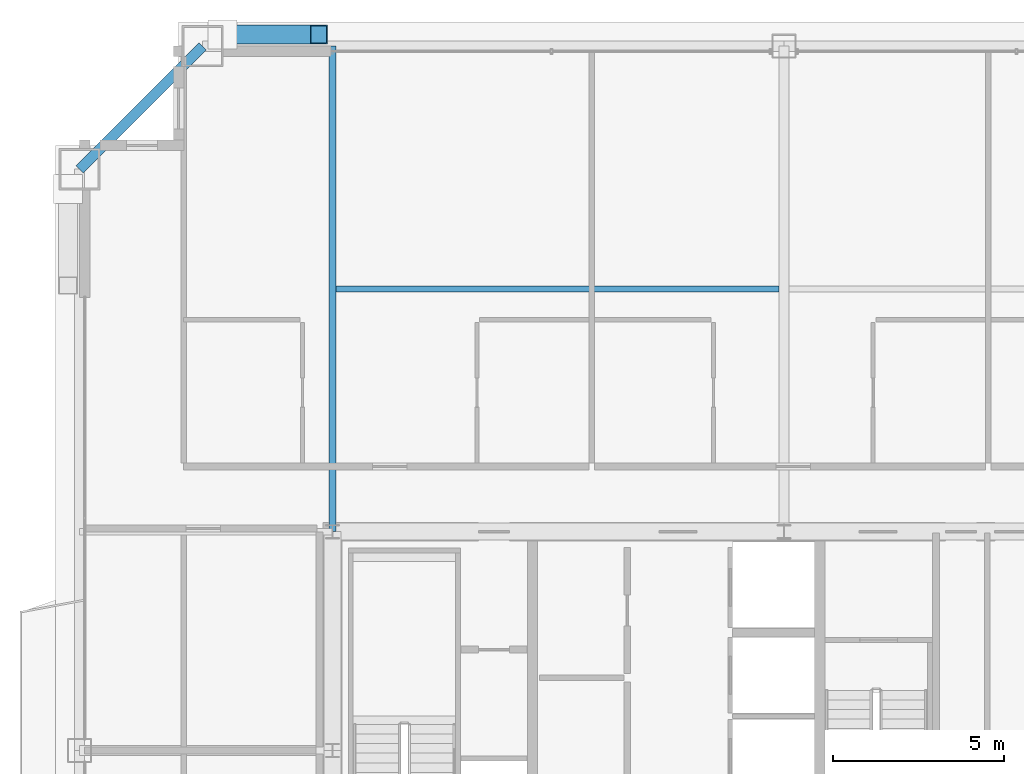
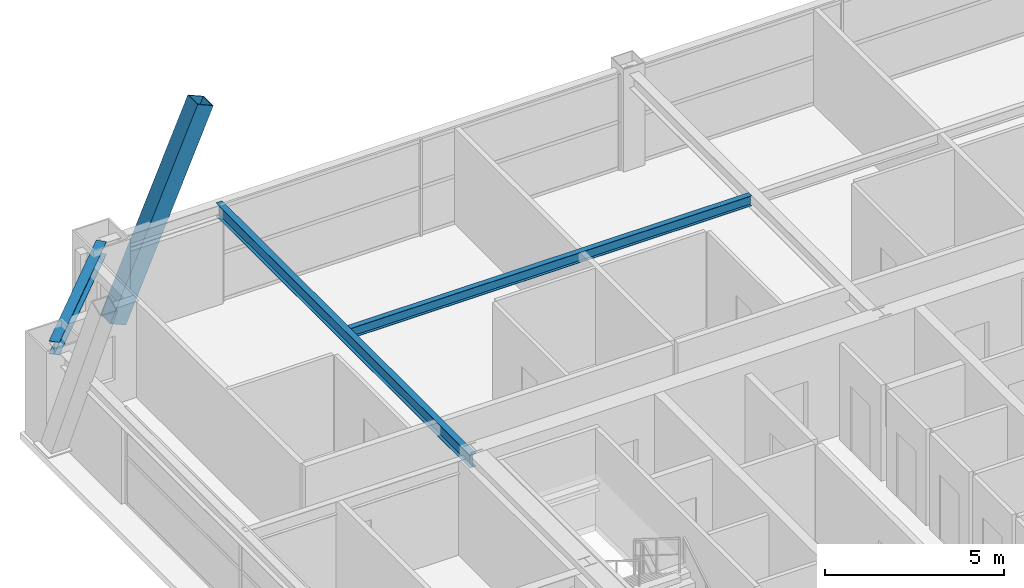
# One storey, part 20 of 33: 3 beams, 1 member.
"""IFC4 building model written with IfcOpenShell, lengths in metres."""

from ifc_helpers import new_model, si_unit, direction, frame, origin, origin_2d, place, context, subcontext, project, spatial, hollow_rectangle, i_section, extrude, source, transform, mapped, material, material_profile, profile_set, type_object, element, save


model = new_model("IFC4")

# Units and contexts
model_context = context("Model", 3, precision=1e-05, world=origin(), true_north=direction((0.0, 1.0)))
body_context = subcontext(model_context, "Body", "Model", "MODEL_VIEW")
ifc_project = project(units=[si_unit("LENGTHUNIT", "METRE"), si_unit("AREAUNIT", "SQUARE_METRE"), si_unit("VOLUMEUNIT", "CUBIC_METRE"), si_unit("PLANEANGLEUNIT", "RADIAN"), si_unit("MASSUNIT", "GRAM", prefix="KILO"), si_unit("THERMODYNAMICTEMPERATUREUNIT", "KELVIN"), si_unit("POWERUNIT", "WATT")], contexts=[model_context])

# Site, building, storey
site_placement = place(None, origin())
site = spatial("IfcSite", under=ifc_project, at=site_placement, CompositionType="ELEMENT")
building_placement = place(site_placement, origin())
building = spatial("IfcBuilding", under=site, at=building_placement, Name="Yuzanri Waterfront Tower", CompositionType="ELEMENT")
storey_placement = place(building_placement, frame((0.0, 0.0, 234.60009765625)))
storey = spatial("IfcBuildingStorey", under=building, at=storey_placement, Name="L62", CompositionType="ELEMENT", Elevation=234.60009765625)

# Beams
ifc_material_1 = material(Name="Steel Q355B", Category="steel")
ifc_material_profile_1 = material_profile(ifc_material_1, i_section(OverallWidth=0.300048828125, OverallDepth=0.43994140625, WebThickness=0.010986328125, FlangeThickness=0.01806640625, at=origin_2d()), Name="HM 440x300x11x18")
ifc_profile_set_1 = profile_set([ifc_material_profile_1], Name="Steel Q355B")
beam_type_1 = type_object("IfcBeamType", Name="Perimeter Spandrel Q355B HM 440x300", PredefinedType="SPANDREL", material=ifc_profile_set_1)
shared_shape_1 = source(origin(), body_context, "Body", "SweptSolid", [
    extrude(i_section(OverallWidth=0.300048828125, OverallDepth=0.43994140625, WebThickness=0.010986328125, FlangeThickness=0.01806640625, at=origin_2d()), origin(), (0.0, 0.0, 1.0), 5.091064453125),
])
beam_1_placement = place(storey_placement, frame((20.0, 46.39990234375, 3.059814453125), z_axis=(-0.707130757816, -0.707082803744, 0.0), x_axis=(0.707082803744, -0.707130757816, 0.0)))
element("IfcBeam", 1, at=beam_1_placement, inside=storey, type_object=beam_type_1, Name="L62 Perimeter Spandrel N1-W3", PredefinedType="SPANDREL", context=body_context, shape_type="MappedRepresentation", body=[
    mapped(shared_shape_1, transform((0.0, 0.0, 0.0), scale=1.0)),
])
ifc_material_2 = material(Name="Steel Q355B", Category="steel")
ifc_material_profile_2 = material_profile(ifc_material_2, i_section(OverallWidth=0.199951171875, OverallDepth=0.449951171875, WebThickness=0.009033203125, FlangeThickness=0.013916015625, at=origin_2d()), Name="HN 450x200x9x14")
ifc_profile_set_2 = profile_set([ifc_material_profile_2], Name="Steel Q355B")
beam_type_2 = type_object("IfcBeamType", Name="Secondary Floor Beam Q355B HN 450x200", PredefinedType="BEAM", material=ifc_profile_set_2)
shared_shape_2 = source(origin(), body_context, "Body", "SweptSolid", [
    extrude(i_section(OverallWidth=0.199951171875, OverallDepth=0.449951171875, WebThickness=0.009033203125, FlangeThickness=0.013916015625, at=origin_2d()), origin(), (0.0, 0.0, 1.0), 14.199951171875),
])
beam_2_placement = place(storey_placement, frame((23.800048828125, 32.199951171875, 3.054931640625), z_axis=(0.0, 1.0, 0.0), x_axis=(-1.0, 0.0, 0.0)))
element("IfcBeam", 2, at=beam_2_placement, inside=storey, type_object=beam_type_2, Name="L62 North-West Core Line Beam", PredefinedType="BEAM", context=body_context, shape_type="MappedRepresentation", body=[
    mapped(shared_shape_2, transform((0.0, 0.0, 0.0), scale=1.0)),
])
ifc_material_3 = material(Name="Steel Q355B", Category="steel")
ifc_material_profile_3 = material_profile(ifc_material_3, i_section(OverallWidth=0.175048828125, OverallDepth=0.35009765625, WebThickness=0.007080078125, FlangeThickness=0.010986328125, at=origin_2d()), Name="HN 350x175x7x11")
ifc_profile_set_3 = profile_set([ifc_material_profile_3], Name="Steel Q355B")
beam_type_3 = type_object("IfcBeamType", Name="Floor Joist Q355B HN 350x175", PredefinedType="JOIST", material=ifc_profile_set_3)
shared_shape_3 = source(origin(), body_context, "Body", "SweptSolid", [
    extrude(i_section(OverallWidth=0.175048828125, OverallDepth=0.35009765625, WebThickness=0.007080078125, FlangeThickness=0.010986328125, at=origin_2d()), origin(), (0.0, 0.0, 1.0), 12.9501953125),
])
beam_3_placement = place(storey_placement, frame((23.89990234375, 39.300048828125, 3.10498046875), z_axis=(1.0, 0.0, 0.0), x_axis=(0.0, 1.0, 0.0)))
element("IfcBeam", 3, at=beam_3_placement, inside=storey, type_object=beam_type_3, Name="L62 North Bay Joist W", PredefinedType="JOIST", context=body_context, shape_type="MappedRepresentation", body=[
    mapped(shared_shape_3, transform((0.0, 0.0, 0.0), scale=1.0)),
])

# Member
ifc_material_4 = material(Name="Steel Q390GJC", Category="steel")
ifc_material_profile_4 = material_profile(ifc_material_4, hollow_rectangle(XDim=0.550048828125, YDim=0.550048828125, WallThickness=0.02490234375, at=origin_2d()), Name="RHS 550x550x25")
ifc_profile_set_4 = profile_set([ifc_material_profile_4], Name="Steel Q390GJC")
member_type = type_object("IfcMemberType", Name="Mega Brace Mid Q390GJC RHS 550x550x25", PredefinedType="BRACE", material=ifc_profile_set_4)
shared_shape_4 = source(origin(), body_context, "Body", "SweptSolid", [
    extrude(hollow_rectangle(XDim=0.550048828125, YDim=0.550048828125, WallThickness=0.02490234375, at=origin_2d()), origin(), (0.0, 0.0, 1.0), 7.085205078125),
])
member_placement = place(storey_placement, frame((20.580078125, 46.739990234375, 0.179931640625), z_axis=(0.397982599681, 0.0, 0.917392963975), x_axis=(0.0, 1.0, 0.0)))
element("IfcMember", 4, at=member_placement, inside=storey, type_object=member_type, Name="L62-L63 Perimeter Mega-Brace N-L", PredefinedType="BRACE", context=body_context, shape_type="MappedRepresentation", body=[
    mapped(shared_shape_4, transform((0.0, 0.0, 0.0), scale=1.0)),
])

save(model, "model.ifc")
